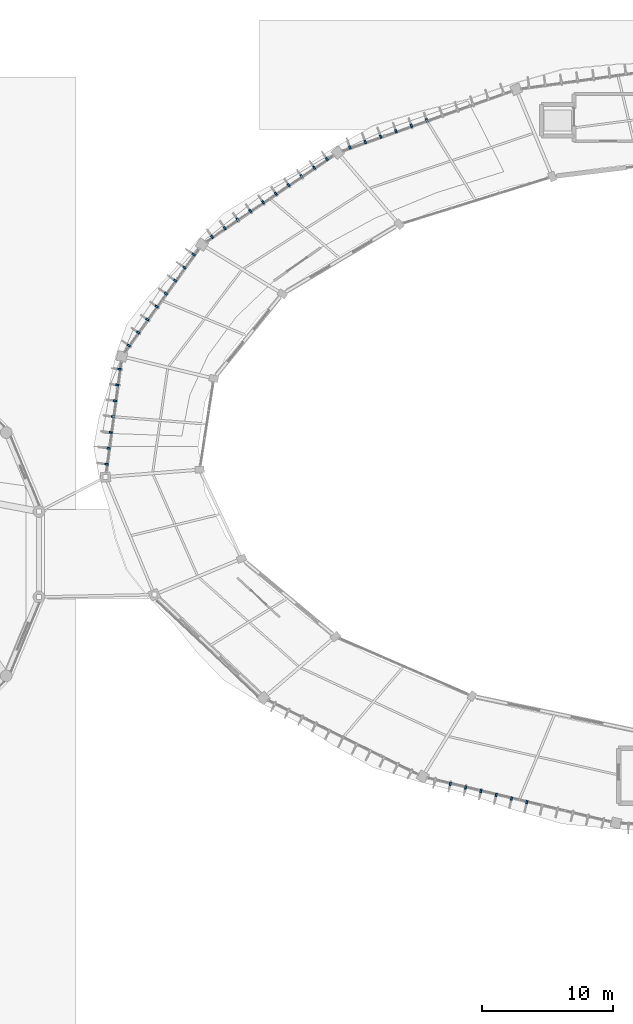
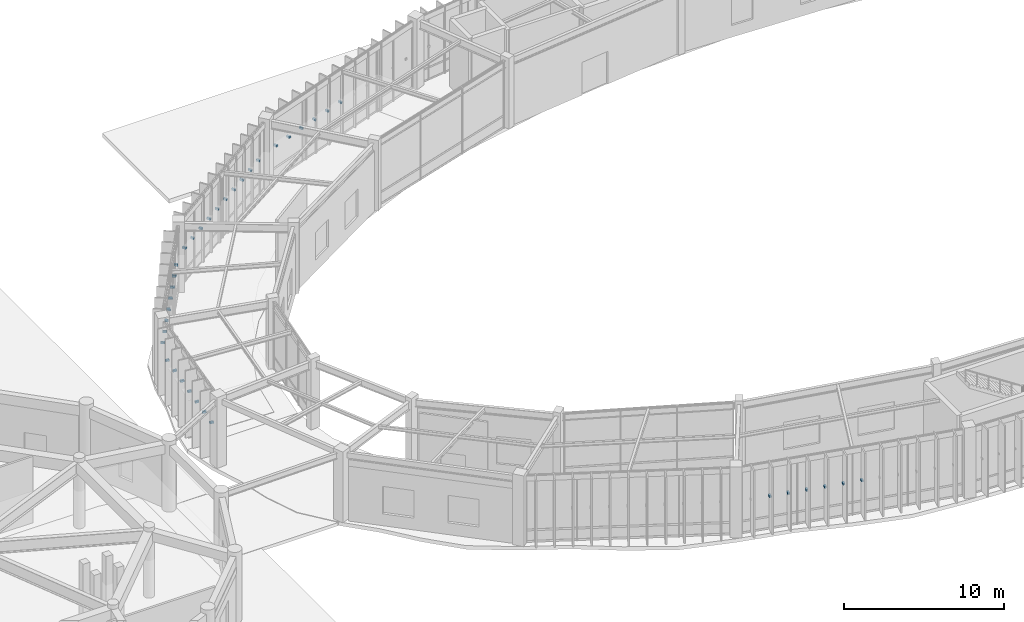
# One storey, part 139 of 157: 37 discrete accessories.
"""IFC4 building model written with IfcOpenShell, lengths in metres."""

import ifcopenshell
import ifcopenshell.guid

model = None  # the IFC model being written
_history = None  # IfcOwnerHistory: only IFC2X3 demands one
_inside = {}  # id of a spatial element -> (the spatial element, [elements in it])
_under = {}  # id of a project, library or spatial element -> (it, [spatial elements below it])
_declared = {}  # id of a project -> (the project, [libraries it declares])
_typed = {}  # id of a type object -> (the type object, [elements of that type])
_made_of = {}  # id of a material, layer set ... -> (it, [elements and type objects made of it])


def new_model(schema):
    """Start an empty IFC model of exactly this schema.

    Asked for "IFC4X3", IfcOpenShell would pick the latest addendum, in which some entities
    have other attributes; the version numbers below select the first issue.
    IFC2X3 requires an IfcOwnerHistory on every rooted entity: one is made here for all.
    """
    global model, _history
    if schema == "IFC4X3":
        model = ifcopenshell.file(schema_version=(4, 3, 0, 0))
    else:
        model = ifcopenshell.file(schema=schema)
    _inside.clear()
    _under.clear()
    _declared.clear()
    _typed.clear()
    _made_of.clear()
    _history = None
    if model.schema == "IFC2X3":
        org = make("IfcOrganization", Name="unknown")
        user = make(
            "IfcPersonAndOrganization",
            ThePerson=make("IfcPerson", FamilyName="unknown"),
            TheOrganization=org,
        )
        app = make(
            "IfcApplication",
            ApplicationDeveloper=org,
            Version="unknown",
            ApplicationFullName="unknown",
            ApplicationIdentifier="unknown",
        )
        _history = make(
            "IfcOwnerHistory",
            OwningUser=user,
            OwningApplication=app,
            ChangeAction="ADDED",
            CreationDate=0,
        )
    return model


def make(cls, **values):
    """One entity of the class cls with the attributes given. An attribute that is None is left unset."""
    return model.create_entity(
        cls, **{name: value for name, value in values.items() if value is not None}
    )


def rooted(cls, **values):
    """An entity with a GlobalId (a new one), such as an element, a storey or a relation."""
    return make(cls, GlobalId=ifcopenshell.guid.new(), OwnerHistory=_history, **values)


def si_unit(unit_type, name, prefix=None):
    """IfcSIUnit, for example si_unit("LENGTHUNIT", "METRE", prefix="MILLI")."""
    return make("IfcSIUnit", UnitType=unit_type, Prefix=prefix, Name=name)


def assignment(units):
    """IfcUnitAssignment: the units of a project."""
    return None if units is None else make("IfcUnitAssignment", Units=units)


def point(xyz):
    """IfcCartesianPoint."""
    return None if xyz is None else make("IfcCartesianPoint", Coordinates=xyz)


def direction(xyz):
    """IfcDirection."""
    return None if xyz is None else make("IfcDirection", DirectionRatios=xyz)


def frame(location, z_axis=None, x_axis=None):
    """IfcAxis2Placement3D, a coordinate frame: its origin and axes. An axis left out is left unset."""
    return make(
        "IfcAxis2Placement3D",
        Location=point(location),
        Axis=direction(z_axis),
        RefDirection=direction(x_axis),
    )


def frame_2d(location, x_axis=None):
    """IfcAxis2Placement2D, a coordinate frame in the plane: its origin and x axis."""
    return make(
        "IfcAxis2Placement2D", Location=point(location), RefDirection=direction(x_axis)
    )


def origin():
    """The frame at (0, 0, 0) with its axes left unset."""
    return frame((0.0, 0.0, 0.0))


def origin_2d():
    """The frame at (0, 0) in the plane with its x axis left unset."""
    return frame_2d((0.0, 0.0))


def place(relative_to, where):
    """IfcLocalPlacement: puts the frame where relative to a parent placement (None: the world)."""
    return make(
        "IfcLocalPlacement", PlacementRelTo=relative_to, RelativePlacement=where
    )


def context(
    kind, dimensions, precision=None, world=None, true_north=None, identifier=None
):
    """IfcGeometricRepresentationContext, for example the 3D "Model" context."""
    return make(
        "IfcGeometricRepresentationContext",
        ContextIdentifier=identifier,
        ContextType=kind,
        CoordinateSpaceDimension=dimensions,
        Precision=precision,
        WorldCoordinateSystem=world,
        TrueNorth=true_north,
    )


def subcontext(parent, identifier, kind, view, scale=None):
    """IfcGeometricRepresentationSubContext, for example "Body" below "Model"."""
    return make(
        "IfcGeometricRepresentationSubContext",
        ContextIdentifier=identifier,
        ContextType=kind,
        ParentContext=parent,
        TargetScale=scale,
        TargetView=view,
    )


def project(units=None, contexts=None):
    """IfcProject with its units and contexts."""
    return rooted(
        "IfcProject",
        Name="project",
        RepresentationContexts=contexts,
        UnitsInContext=assignment(units),
    )


def spatial(cls, under=None, at=None, **own):
    """A site, building, storey or space (cls), placed at a placement, below another one or the project."""
    s = rooted(cls, ObjectPlacement=at, **own)
    if under is not None:
        _under.setdefault(under.id(), (under, []))[1].append(s)
    return s


def profile(cls, at=None, kind="AREA", **sizes):
    """A parametric profile (cls). Its sizes go by their IFC names, for example OverallWidth=200.0."""
    return make(cls, ProfileType=kind, Position=at, **sizes)


def rectangle(**sizes):
    """IfcRectangleProfileDef."""
    return profile("IfcRectangleProfileDef", **sizes)


def extrude(swept, where, along, depth):
    """IfcExtrudedAreaSolid: the profile swept, set in the frame where, extruded along a direction by depth."""
    return make(
        "IfcExtrudedAreaSolid",
        SweptArea=swept,
        Position=where,
        ExtrudedDirection=direction(along),
        Depth=depth,
    )


def shape(context_of_items, identifier, shape_type, items):
    """IfcShapeRepresentation: the items that make up one representation, for example the "Body"."""
    return make(
        "IfcShapeRepresentation",
        ContextOfItems=context_of_items,
        RepresentationIdentifier=identifier,
        RepresentationType=shape_type,
        Items=items,
    )


def material(Name=None, Category=None):
    """IfcMaterial."""
    return make("IfcMaterial", Name=Name, Category=Category)


def made_of(thing, what):
    """Note that an element or type object is made of a material, layer set ...; save() writes the relation."""
    if what is not None:
        _made_of.setdefault(what.id(), (what, []))[1].append(thing)
    return thing


def type_object(cls, material=None, **own):
    """A type object (cls), such as IfcWallType, which elements share."""
    return made_of(rooted(cls, **own), material)


def element(
    cls,
    number,
    at=None,
    inside=None,
    cuts=None,
    type_object=None,
    material=None,
    context=None,
    identifier="Body",
    shape_type=None,
    held_by="IfcProductDefinitionShape",
    body=None,
    shapes=None,
    **own,
):
    """One element of the class cls, such as IfcWall. Its Tag is "e" and its number.

    at: its placement. inside: the storey or other place that contains it. cuts: it is an
    opening in that element (IfcRelVoidsElement). A single representation is given by context,
    identifier, shape_type and body (its items); several are given by shapes. held_by: the class
    of the entity that holds the representations. save() writes the other relations.
    """
    e = rooted(cls, Tag="e%d" % number, ObjectPlacement=at, **own)
    if body is not None:
        shapes = [shape(context, identifier, shape_type, body)]
    if shapes is not None:
        e.Representation = make(held_by, Representations=shapes)
    if inside is not None:
        _inside.setdefault(inside.id(), (inside, []))[1].append(e)
    if cuts is not None:
        rooted(
            "IfcRelVoidsElement", RelatingBuildingElement=cuts, RelatedOpeningElement=e
        )
    if type_object is not None:
        _typed.setdefault(type_object.id(), (type_object, []))[1].append(e)
    return made_of(e, material)


def aggregate(whole, parts):
    """IfcRelAggregates: a whole, such as a stair, and the parts it consists of."""
    return rooted("IfcRelAggregates", RelatingObject=whole, RelatedObjects=parts)


def save(model, path):
    """Write the relations noted so far, then the file.

    IfcRelAggregates (storeys below a building ...), IfcRelContainedInSpatialStructure (elements
    in a storey), IfcRelDefinesByType, IfcRelAssociatesMaterial and IfcRelDeclares: one each for
    every whole, place, type object, material and project.
    """
    for whole, parts in _under.values():
        aggregate(whole, parts)
    for where, things in _inside.values():
        rooted(
            "IfcRelContainedInSpatialStructure",
            RelatedElements=things,
            RelatingStructure=where,
        )
    for kind, things in _typed.values():
        rooted("IfcRelDefinesByType", RelatedObjects=things, RelatingType=kind)
    for what, things in _made_of.values():
        rooted("IfcRelAssociatesMaterial", RelatedObjects=things, RelatingMaterial=what)
    for by, libraries in _declared.values():
        rooted("IfcRelDeclares", RelatingContext=by, RelatedDefinitions=libraries)
    model.write(path)


model = new_model("IFC4")

# Units and contexts
model_context = context("Model", 3, precision=1e-05, world=origin(), true_north=direction((0.0, 1.0)))
body_context = subcontext(model_context, "Body", "Model", "MODEL_VIEW")
ifc_project = project(units=[si_unit("LENGTHUNIT", "METRE"), si_unit("AREAUNIT", "SQUARE_METRE"), si_unit("VOLUMEUNIT", "CUBIC_METRE"), si_unit("PLANEANGLEUNIT", "RADIAN"), si_unit("MASSUNIT", "GRAM", prefix="KILO"), si_unit("THERMODYNAMICTEMPERATUREUNIT", "KELVIN"), si_unit("POWERUNIT", "WATT")], contexts=[model_context])

# Site, building, storey
site_placement = place(None, origin())
site = spatial("IfcSite", under=ifc_project, at=site_placement, CompositionType="ELEMENT")
building_placement = place(site_placement, origin())
building = spatial("IfcBuilding", under=site, at=building_placement, Name="Darbajah Civic Hall", CompositionType="ELEMENT")
storey_placement = place(building_placement, origin())
storey = spatial("IfcBuildingStorey", under=building, at=storey_placement, Name="L00", CompositionType="ELEMENT", Elevation=0.0)

# Discrete accessories
ifc_material = material(Name="Stainless Steel S355JR", Category="steel")
discrete_accessory_type = type_object("IfcDiscreteAccessoryType", Name="Stainless Facade Support Bracket", PredefinedType="BRACKET", material=ifc_material)
for number, where, z_axis, x_axis, name in (
    (1, (62.760498046875, 114.69970703125, 2.490234375), (0.0, 0.0, 1.0), (-0.334135882844, 0.94252491309, 0.0), "L00 shading fin bracket 06-6"),
    (2, (61.58837890625, 114.2841796875, 2.490234375), (0.0, 0.0, 1.0), (-0.334135882844, 0.94252491309, 0.0), "L00 shading fin bracket 06-7"),
    (3, (60.416015625, 113.868896484375, 2.490234375), (0.0, 0.0, 1.0), (-0.334135882844, 0.94252491309, 0.0), "L00 shading fin bracket 06-8"),
    (4, (59.243896484375, 113.453369140625, 2.490234375), (0.0, 0.0, 1.0), (-0.334135882844, 0.94252491309, 0.0), "L00 shading fin bracket 06-9"),
    (5, (58.07177734375, 113.037841796875, 2.490234375), (0.0, 0.0, 1.0), (-0.334135882844, 0.94252491309, 0.0), "L00 shading fin bracket 06-10"),
    (6, (56.8994140625, 112.622314453125, 2.490234375), (0.0, 0.0, 1.0), (-0.334135882844, 0.94252491309, 0.0), "L00 shading fin bracket 06-11"),
    (7, (55.1455078125, 111.740478515625, 2.490234375), (0.0, 0.0, 1.0), (-0.560783509816, 0.827962472047, 0.0), "L00 shading fin bracket 07-1"),
    (8, (54.171630859375, 111.0810546875, 2.490234375), (0.0, 0.0, 1.0), (-0.560783509816, 0.827962472047, 0.0), "L00 shading fin bracket 07-2"),
    (9, (53.19775390625, 110.42138671875, 2.490234375), (0.0, 0.0, 1.0), (-0.560783509816, 0.827962472047, 0.0), "L00 shading fin bracket 07-3"),
    (10, (52.223876953125, 109.761962890625, 2.490234375), (0.0, 0.0, 1.0), (-0.560783509816, 0.827962472047, 0.0), "L00 shading fin bracket 07-4"),
    (11, (51.25, 109.102294921875, 2.490234375), (0.0, 0.0, 1.0), (-0.560783509816, 0.827962472047, 0.0), "L00 shading fin bracket 07-5"),
    (12, (50.276123046875, 108.44287109375, 2.490234375), (0.0, 0.0, 1.0), (-0.560783509816, 0.827962472047, 0.0), "L00 shading fin bracket 07-6"),
    (13, (49.30224609375, 107.783203125, 2.490234375), (0.0, 0.0, 1.0), (-0.560783509816, 0.827962472047, 0.0), "L00 shading fin bracket 07-7"),
    (14, (48.32861328125, 107.123779296875, 2.490234375), (0.0, 0.0, 1.0), (-0.560783509816, 0.827962472047, 0.0), "L00 shading fin bracket 07-8"),
    (15, (47.3544921875, 106.464111328125, 2.490234375), (0.0, 0.0, 1.0), (-0.560783509816, 0.827962472047, 0.0), "L00 shading fin bracket 07-9"),
    (16, (46.380859375, 105.8046875, 2.490234375), (0.0, 0.0, 1.0), (-0.560783509816, 0.827962472047, 0.0), "L00 shading fin bracket 07-10"),
    (17, (44.992919921875, 104.447509765625, 2.490234375), (0.0, 0.0, 1.0), (-0.812999149039, 0.582264874145, 0.0), "L00 shading fin bracket 08-1"),
    (18, (44.284423828125, 103.458251953125, 2.490234375), (0.0, 0.0, 1.0), (-0.812999149039, 0.582264874145, 0.0), "L00 shading fin bracket 08-2"),
    (19, (43.576171875, 102.468994140625, 2.490234375), (0.0, 0.0, 1.0), (-0.812999149039, 0.582264874145, 0.0), "L00 shading fin bracket 08-3"),
    (20, (42.86767578125, 101.479736328125, 2.490234375), (0.0, 0.0, 1.0), (-0.812999149039, 0.582264874145, 0.0), "L00 shading fin bracket 08-4"),
    (21, (42.1591796875, 100.490478515625, 2.490234375), (0.0, 0.0, 1.0), (-0.812999149039, 0.582264874145, 0.0), "L00 shading fin bracket 08-5"),
    (22, (41.45068359375, 99.501220703125, 2.490234375), (0.0, 0.0, 1.0), (-0.812999149039, 0.582264874145, 0.0), "L00 shading fin bracket 08-6"),
    (23, (40.742431640625, 98.511962890625, 2.490234375), (0.0, 0.0, 1.0), (-0.812999149039, 0.582264874145, 0.0), "L00 shading fin bracket 08-7"),
    (24, (40.033935546875, 97.522705078125, 2.490234375), (0.0, 0.0, 1.0), (-0.812999149039, 0.582264874145, 0.0), "L00 shading fin bracket 08-8"),
    (25, (39.316650390625, 95.71728515625, 2.490234375), (0.0, 0.0, 1.0), (-0.990865897387, 0.134850930274, 0.0), "L00 shading fin bracket 09-1"),
    (26, (39.15234375, 94.509521484375, 2.490234375), (0.0, 0.0, 1.0), (-0.990865897387, 0.134850930274, 0.0), "L00 shading fin bracket 09-2"),
    (27, (38.988037109375, 93.3017578125, 2.490234375), (0.0, 0.0, 1.0), (-0.990865897387, 0.134850930274, 0.0), "L00 shading fin bracket 09-3"),
    (28, (38.82373046875, 92.093994140625, 2.490234375), (0.0, 0.0, 1.0), (-0.990865897387, 0.134850930274, 0.0), "L00 shading fin bracket 09-4"),
    (29, (38.659423828125, 90.886474609375, 2.490234375), (0.0, 0.0, 1.0), (-0.990865897387, 0.134850930274, 0.0), "L00 shading fin bracket 09-5"),
    (30, (38.4951171875, 89.6787109375, 2.490234375), (0.0, 0.0, 1.0), (-0.990865897387, 0.134850930274, 0.0), "L00 shading fin bracket 09-6"),
    (31, (38.330810546875, 88.470947265625, 2.490234375), (0.0, 0.0, 1.0), (-0.990865897387, 0.134850930274, 0.0), "L00 shading fin bracket 09-7"),
    (32, (64.556396484375, 64.081298828125, 2.490234375), (0.0, 0.0, 1.0), (-0.232936200179, -0.972492018808, 0.0), "L00 shading fin bracket 13-2"),
    (33, (65.7236328125, 63.8017578125, 2.490234375), (0.0, 0.0, 1.0), (-0.232936200179, -0.972492018808, 0.0), "L00 shading fin bracket 13-3"),
    (34, (66.89111328125, 63.52197265625, 2.490234375), (0.0, 0.0, 1.0), (-0.232936200179, -0.972492018808, 0.0), "L00 shading fin bracket 13-4"),
    (35, (68.058349609375, 63.2421875, 2.490234375), (0.0, 0.0, 1.0), (-0.232936200179, -0.972492018808, 0.0), "L00 shading fin bracket 13-5"),
    (36, (69.225830078125, 62.962646484375, 2.490234375), (0.0, 0.0, 1.0), (-0.232936200179, -0.972492018808, 0.0), "L00 shading fin bracket 13-6"),
    (37, (70.393310546875, 62.682861328125, 2.490234375), (0.0, 0.0, 1.0), (-0.232936200179, -0.972492018808, 0.0), "L00 shading fin bracket 13-7"),
):
    element("IfcDiscreteAccessory", number, at=place(storey_placement, frame(where, z_axis=z_axis, x_axis=x_axis)), inside=storey, type_object=discrete_accessory_type, Name=name, PredefinedType="BRACKET", context=body_context, shape_type="SweptSolid", body=[
        extrude(rectangle(XDim=0.260009765625, YDim=0.139892578125, at=origin_2d()), origin(), (0.0, 0.0, 1.0), 0.139892578125),
    ])

save(model, "model.ifc")
